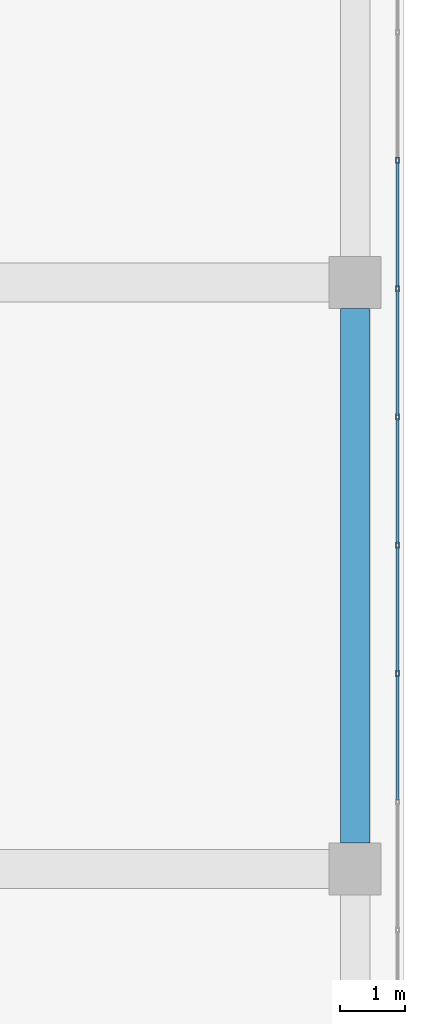
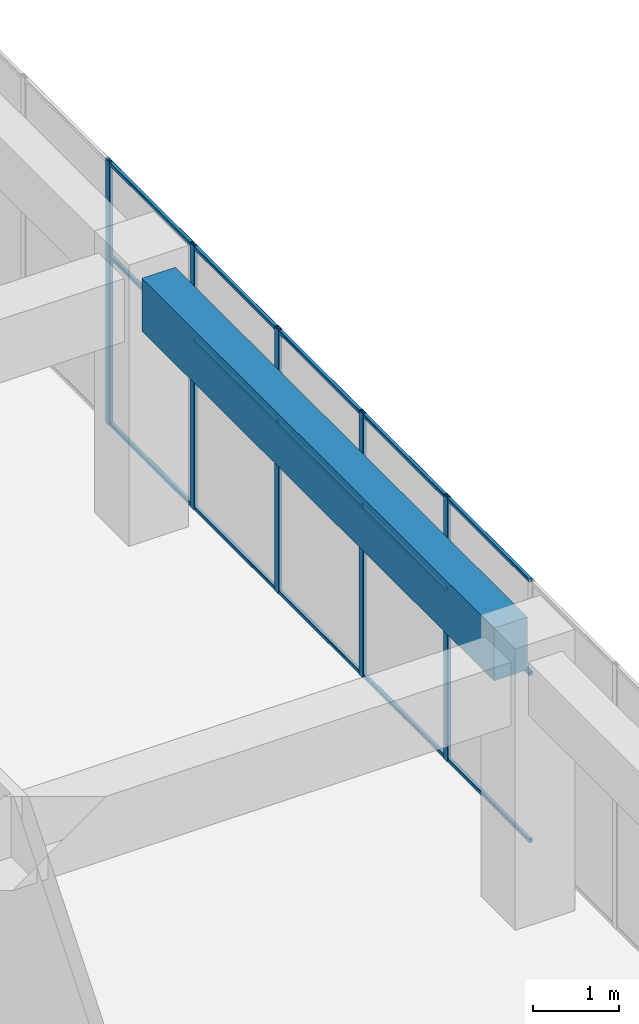
# One storey, part 39 of 55: 20 members, 1 beam, 1 element without a shape of its own.
"""IFC4 building model written with IfcOpenShell, lengths in metres."""

from ifc_helpers import new_model, si_unit, direction, frame, origin, origin_2d, place, context, subcontext, project, spatial, rectangle, hollow_rectangle, extrude, material, layer, layer_set, material_profile, profile_set, type_object, element, aggregate, save


model = new_model("IFC4")

# Units and contexts
model_context = context("Model", 3, precision=1e-05, world=origin(), true_north=direction((0.0, 1.0)))
body_context = subcontext(model_context, "Body", "Model", "MODEL_VIEW")
ifc_project = project(units=[si_unit("LENGTHUNIT", "METRE"), si_unit("AREAUNIT", "SQUARE_METRE"), si_unit("VOLUMEUNIT", "CUBIC_METRE"), si_unit("PLANEANGLEUNIT", "RADIAN"), si_unit("MASSUNIT", "GRAM", prefix="KILO")], contexts=[model_context])

# Site, building, storey
site_placement = place(None, origin())
site = spatial("IfcSite", under=ifc_project, at=site_placement, CompositionType="ELEMENT")
building_placement = place(site_placement, origin())
building = spatial("IfcBuilding", under=site, at=building_placement, Name="Tuart Plaza Theatre", CompositionType="ELEMENT")
storey_placement = place(building_placement, frame((0.0, 0.0, 21.5)))
storey = spatial("IfcBuildingStorey", under=building, at=storey_placement, Name="L05", CompositionType="ELEMENT", Elevation=21.5)

# Beam
ifc_material_1 = material(Name="Concrete N40 (40 MPa)", Category="concrete")
ifc_material_profile_1 = material_profile(ifc_material_1, rectangle(XDim=0.449951171875, YDim=0.75, at=origin_2d()), Name="BEAM 450x750 Concrete N40 (40 MPa)")
ifc_profile_set_1 = profile_set([ifc_material_profile_1], Name="Concrete N40 (40 MPa)")
beam_type = type_object("IfcBeamType", Name="BEAM 450x750 Concrete N40 (40 MPa)", PredefinedType="BEAM", material=ifc_profile_set_1)
beam_placement = place(storey_placement, frame((150.0, 65.39990234375, 3.375), z_axis=(0.0, 1.0, 0.0), x_axis=(-1.0, 0.0, 0.0)))
element("IfcBeam", 1, at=beam_placement, inside=storey, type_object=beam_type, Name="RB239", PredefinedType="BEAM", context=body_context, shape_type="SweptSolid", body=[
    extrude(rectangle(XDim=0.449951171875, YDim=0.75, at=origin_2d()), origin(), (0.0, 0.0, 1.0), 8.2001953125),
])

# Curtain wall, members
ifc_material_2 = material(Name="Aluminium and glass", Category="aluminium")
ifc_layer = layer(ifc_material_2, 0.10009765625)
ifc_layer_set = layer_set([ifc_layer], Name="CURTAIN WALL 2000 module")
curtain_wall_type = type_object("IfcCurtainWallType", Name="CURTAIN WALL 2000 module", PredefinedType="NOTDEFINED", material=ifc_layer_set)
curtain_wall_placement = place(storey_placement, origin())
curtain_wall = element("IfcCurtainWall", 2, at=curtain_wall_placement, inside=storey, type_object=curtain_wall_type, Name="CW78", PredefinedType="NOTDEFINED")
ifc_material_3 = material(Name="Aluminium 6063-T5", Category="aluminium")
ifc_material_profile_2 = material_profile(ifc_material_3, hollow_rectangle(XDim=0.050048828125, YDim=0.10009765625, WallThickness=0.00390625, InnerFilletRadius=0.00390625, OuterFilletRadius=0.008056640625, at=origin_2d()), Name="RHS 100x50x4")
ifc_profile_set_2 = profile_set([ifc_material_profile_2], Name="Aluminium 6063-T5")
member_type_1 = type_object("IfcMemberType", Name="MULLION RHS 100x50x4", PredefinedType="MULLION", material=ifc_profile_set_2)
member_1_placement = place(storey_placement, frame((150.64990234375, 68.0, 0.0), z_axis=(0.0, 0.0, 1.0), x_axis=(-1.0, 0.0, 0.0)))
member_1 = element("IfcMember", 3, at=member_1_placement, type_object=member_type_1, Name="CW78 mullion 9", PredefinedType="MULLION", context=body_context, shape_type="SweptSolid", body=[
    extrude(hollow_rectangle(XDim=0.050048828125, YDim=0.10009765625, WallThickness=0.00390625, InnerFilletRadius=0.00390625, OuterFilletRadius=0.008056640625, at=origin_2d()), origin(), (0.0, 0.0, 1.0), 3.75),
])
member_2_placement = place(storey_placement, frame((150.64990234375, 69.96875, 0.0), z_axis=(0.0, 0.0, 1.0), x_axis=(-1.0, 0.0, 0.0)))
member_2 = element("IfcMember", 4, at=member_2_placement, type_object=member_type_1, Name="CW78 mullion 10", PredefinedType="MULLION", context=body_context, shape_type="SweptSolid", body=[
    extrude(hollow_rectangle(XDim=0.050048828125, YDim=0.10009765625, WallThickness=0.00390625, InnerFilletRadius=0.00390625, OuterFilletRadius=0.008056640625, at=origin_2d()), origin(), (0.0, 0.0, 1.0), 3.75),
])
member_3_placement = place(storey_placement, frame((150.64990234375, 71.9375, 0.0), z_axis=(0.0, 0.0, 1.0), x_axis=(-1.0, 0.0, 0.0)))
member_3 = element("IfcMember", 5, at=member_3_placement, type_object=member_type_1, Name="CW78 mullion 11", PredefinedType="MULLION", context=body_context, shape_type="SweptSolid", body=[
    extrude(hollow_rectangle(XDim=0.050048828125, YDim=0.10009765625, WallThickness=0.00390625, InnerFilletRadius=0.00390625, OuterFilletRadius=0.008056640625, at=origin_2d()), origin(), (0.0, 0.0, 1.0), 3.75),
])
member_4_placement = place(storey_placement, frame((150.64990234375, 73.90625, 0.0), z_axis=(0.0, 0.0, 1.0), x_axis=(-1.0, 0.0, 0.0)))
member_4 = element("IfcMember", 6, at=member_4_placement, type_object=member_type_1, Name="CW78 mullion 12", PredefinedType="MULLION", context=body_context, shape_type="SweptSolid", body=[
    extrude(hollow_rectangle(XDim=0.050048828125, YDim=0.10009765625, WallThickness=0.00390625, InnerFilletRadius=0.00390625, OuterFilletRadius=0.008056640625, at=origin_2d()), origin(), (0.0, 0.0, 1.0), 3.75),
])
member_5_placement = place(storey_placement, frame((150.64990234375, 75.875, 0.0), z_axis=(0.0, 0.0, 1.0), x_axis=(-1.0, 0.0, 0.0)))
member_5 = element("IfcMember", 7, at=member_5_placement, type_object=member_type_1, Name="CW78 mullion 13", PredefinedType="MULLION", context=body_context, shape_type="SweptSolid", body=[
    extrude(hollow_rectangle(XDim=0.050048828125, YDim=0.10009765625, WallThickness=0.00390625, InnerFilletRadius=0.00390625, OuterFilletRadius=0.008056640625, at=origin_2d()), origin(), (0.0, 0.0, 1.0), 3.75),
])
ifc_material_4 = material(Name="Aluminium 6063-T5", Category="aluminium")
ifc_material_profile_3 = material_profile(ifc_material_4, hollow_rectangle(XDim=0.050048828125, YDim=0.050048828125, WallThickness=0.00390625, InnerFilletRadius=0.00390625, OuterFilletRadius=0.008056640625, at=origin_2d()), Name="RHS 50x50x4")
ifc_profile_set_3 = profile_set([ifc_material_profile_3], Name="Aluminium 6063-T5")
member_type_2 = type_object("IfcMemberType", Name="TRANSOM RHS 50x50x4", PredefinedType="USERDEFINED", material=ifc_profile_set_3)
member_6_placement = place(storey_placement, frame((150.64990234375, 66.05615234375, 0.02490234375), z_axis=(0.0, 1.0, 0.0), x_axis=(-1.0, 0.0, 0.0)))
member_6 = element("IfcMember", 8, at=member_6_placement, type_object=member_type_2, Name="CW78 transom 8.1", ObjectType="TRANSOM", PredefinedType="USERDEFINED", context=body_context, shape_type="SweptSolid", body=[
    extrude(hollow_rectangle(XDim=0.050048828125, YDim=0.050048828125, WallThickness=0.00390625, InnerFilletRadius=0.00390625, OuterFilletRadius=0.008056640625, at=origin_2d()), origin(), (0.0, 0.0, 1.0), 1.9189453125),
])
member_7_placement = place(storey_placement, frame((150.64990234375, 66.05615234375, 2.39990234375), z_axis=(0.0, 1.0, 0.0), x_axis=(-1.0, 0.0, 0.0)))
member_7 = element("IfcMember", 9, at=member_7_placement, type_object=member_type_2, Name="CW78 transom 8.2", ObjectType="TRANSOM", PredefinedType="USERDEFINED", context=body_context, shape_type="SweptSolid", body=[
    extrude(hollow_rectangle(XDim=0.050048828125, YDim=0.050048828125, WallThickness=0.00390625, InnerFilletRadius=0.00390625, OuterFilletRadius=0.008056640625, at=origin_2d()), origin(), (0.0, 0.0, 1.0), 1.9189453125),
])
member_8_placement = place(storey_placement, frame((150.64990234375, 66.05615234375, 3.72509765625), z_axis=(0.0, 1.0, 0.0), x_axis=(-1.0, 0.0, 0.0)))
member_8 = element("IfcMember", 10, at=member_8_placement, type_object=member_type_2, Name="CW78 transom 8.3", ObjectType="TRANSOM", PredefinedType="USERDEFINED", context=body_context, shape_type="SweptSolid", body=[
    extrude(hollow_rectangle(XDim=0.050048828125, YDim=0.050048828125, WallThickness=0.00390625, InnerFilletRadius=0.00390625, OuterFilletRadius=0.008056640625, at=origin_2d()), origin(), (0.0, 0.0, 1.0), 1.9189453125),
])
member_9_placement = place(storey_placement, frame((150.64990234375, 68.02490234375, 0.02490234375), z_axis=(0.0, 1.0, 0.0), x_axis=(-1.0, 0.0, 0.0)))
member_9 = element("IfcMember", 11, at=member_9_placement, type_object=member_type_2, Name="CW78 transom 9.1", ObjectType="TRANSOM", PredefinedType="USERDEFINED", context=body_context, shape_type="SweptSolid", body=[
    extrude(hollow_rectangle(XDim=0.050048828125, YDim=0.050048828125, WallThickness=0.00390625, InnerFilletRadius=0.00390625, OuterFilletRadius=0.008056640625, at=origin_2d()), origin(), (0.0, 0.0, 1.0), 1.9189453125),
])
member_10_placement = place(storey_placement, frame((150.64990234375, 68.02490234375, 2.39990234375), z_axis=(0.0, 1.0, 0.0), x_axis=(-1.0, 0.0, 0.0)))
member_10 = element("IfcMember", 12, at=member_10_placement, type_object=member_type_2, Name="CW78 transom 9.2", ObjectType="TRANSOM", PredefinedType="USERDEFINED", context=body_context, shape_type="SweptSolid", body=[
    extrude(hollow_rectangle(XDim=0.050048828125, YDim=0.050048828125, WallThickness=0.00390625, InnerFilletRadius=0.00390625, OuterFilletRadius=0.008056640625, at=origin_2d()), origin(), (0.0, 0.0, 1.0), 1.9189453125),
])
member_11_placement = place(storey_placement, frame((150.64990234375, 68.02490234375, 3.72509765625), z_axis=(0.0, 1.0, 0.0), x_axis=(-1.0, 0.0, 0.0)))
member_11 = element("IfcMember", 13, at=member_11_placement, type_object=member_type_2, Name="CW78 transom 9.3", ObjectType="TRANSOM", PredefinedType="USERDEFINED", context=body_context, shape_type="SweptSolid", body=[
    extrude(hollow_rectangle(XDim=0.050048828125, YDim=0.050048828125, WallThickness=0.00390625, InnerFilletRadius=0.00390625, OuterFilletRadius=0.008056640625, at=origin_2d()), origin(), (0.0, 0.0, 1.0), 1.9189453125),
])
member_12_placement = place(storey_placement, frame((150.64990234375, 69.99365234375, 0.02490234375), z_axis=(0.0, 1.0, 0.0), x_axis=(-1.0, 0.0, 0.0)))
member_12 = element("IfcMember", 14, at=member_12_placement, type_object=member_type_2, Name="CW78 transom 10.1", ObjectType="TRANSOM", PredefinedType="USERDEFINED", context=body_context, shape_type="SweptSolid", body=[
    extrude(hollow_rectangle(XDim=0.050048828125, YDim=0.050048828125, WallThickness=0.00390625, InnerFilletRadius=0.00390625, OuterFilletRadius=0.008056640625, at=origin_2d()), origin(), (0.0, 0.0, 1.0), 1.9189453125),
])
member_13_placement = place(storey_placement, frame((150.64990234375, 69.99365234375, 2.39990234375), z_axis=(0.0, 1.0, 0.0), x_axis=(-1.0, 0.0, 0.0)))
member_13 = element("IfcMember", 15, at=member_13_placement, type_object=member_type_2, Name="CW78 transom 10.2", ObjectType="TRANSOM", PredefinedType="USERDEFINED", context=body_context, shape_type="SweptSolid", body=[
    extrude(hollow_rectangle(XDim=0.050048828125, YDim=0.050048828125, WallThickness=0.00390625, InnerFilletRadius=0.00390625, OuterFilletRadius=0.008056640625, at=origin_2d()), origin(), (0.0, 0.0, 1.0), 1.9189453125),
])
member_14_placement = place(storey_placement, frame((150.64990234375, 69.99365234375, 3.72509765625), z_axis=(0.0, 1.0, 0.0), x_axis=(-1.0, 0.0, 0.0)))
member_14 = element("IfcMember", 16, at=member_14_placement, type_object=member_type_2, Name="CW78 transom 10.3", ObjectType="TRANSOM", PredefinedType="USERDEFINED", context=body_context, shape_type="SweptSolid", body=[
    extrude(hollow_rectangle(XDim=0.050048828125, YDim=0.050048828125, WallThickness=0.00390625, InnerFilletRadius=0.00390625, OuterFilletRadius=0.008056640625, at=origin_2d()), origin(), (0.0, 0.0, 1.0), 1.9189453125),
])
member_15_placement = place(storey_placement, frame((150.64990234375, 71.96240234375, 0.02490234375), z_axis=(0.0, 1.0, 0.0), x_axis=(-1.0, 0.0, 0.0)))
member_15 = element("IfcMember", 17, at=member_15_placement, type_object=member_type_2, Name="CW78 transom 11.1", ObjectType="TRANSOM", PredefinedType="USERDEFINED", context=body_context, shape_type="SweptSolid", body=[
    extrude(hollow_rectangle(XDim=0.050048828125, YDim=0.050048828125, WallThickness=0.00390625, InnerFilletRadius=0.00390625, OuterFilletRadius=0.008056640625, at=origin_2d()), origin(), (0.0, 0.0, 1.0), 1.9189453125),
])
member_16_placement = place(storey_placement, frame((150.64990234375, 71.96240234375, 2.39990234375), z_axis=(0.0, 1.0, 0.0), x_axis=(-1.0, 0.0, 0.0)))
member_16 = element("IfcMember", 18, at=member_16_placement, type_object=member_type_2, Name="CW78 transom 11.2", ObjectType="TRANSOM", PredefinedType="USERDEFINED", context=body_context, shape_type="SweptSolid", body=[
    extrude(hollow_rectangle(XDim=0.050048828125, YDim=0.050048828125, WallThickness=0.00390625, InnerFilletRadius=0.00390625, OuterFilletRadius=0.008056640625, at=origin_2d()), origin(), (0.0, 0.0, 1.0), 1.9189453125),
])
member_17_placement = place(storey_placement, frame((150.64990234375, 71.96240234375, 3.72509765625), z_axis=(0.0, 1.0, 0.0), x_axis=(-1.0, 0.0, 0.0)))
member_17 = element("IfcMember", 19, at=member_17_placement, type_object=member_type_2, Name="CW78 transom 11.3", ObjectType="TRANSOM", PredefinedType="USERDEFINED", context=body_context, shape_type="SweptSolid", body=[
    extrude(hollow_rectangle(XDim=0.050048828125, YDim=0.050048828125, WallThickness=0.00390625, InnerFilletRadius=0.00390625, OuterFilletRadius=0.008056640625, at=origin_2d()), origin(), (0.0, 0.0, 1.0), 1.9189453125),
])
member_18_placement = place(storey_placement, frame((150.64990234375, 73.93115234375, 0.02490234375), z_axis=(0.0, 1.0, 0.0), x_axis=(-1.0, 0.0, 0.0)))
member_18 = element("IfcMember", 20, at=member_18_placement, type_object=member_type_2, Name="CW78 transom 12.1", ObjectType="TRANSOM", PredefinedType="USERDEFINED", context=body_context, shape_type="SweptSolid", body=[
    extrude(hollow_rectangle(XDim=0.050048828125, YDim=0.050048828125, WallThickness=0.00390625, InnerFilletRadius=0.00390625, OuterFilletRadius=0.008056640625, at=origin_2d()), origin(), (0.0, 0.0, 1.0), 1.9189453125),
])
member_19_placement = place(storey_placement, frame((150.64990234375, 73.93115234375, 2.39990234375), z_axis=(0.0, 1.0, 0.0), x_axis=(-1.0, 0.0, 0.0)))
member_19 = element("IfcMember", 21, at=member_19_placement, type_object=member_type_2, Name="CW78 transom 12.2", ObjectType="TRANSOM", PredefinedType="USERDEFINED", context=body_context, shape_type="SweptSolid", body=[
    extrude(hollow_rectangle(XDim=0.050048828125, YDim=0.050048828125, WallThickness=0.00390625, InnerFilletRadius=0.00390625, OuterFilletRadius=0.008056640625, at=origin_2d()), origin(), (0.0, 0.0, 1.0), 1.9189453125),
])
member_20_placement = place(storey_placement, frame((150.64990234375, 73.93115234375, 3.72509765625), z_axis=(0.0, 1.0, 0.0), x_axis=(-1.0, 0.0, 0.0)))
member_20 = element("IfcMember", 22, at=member_20_placement, type_object=member_type_2, Name="CW78 transom 12.3", ObjectType="TRANSOM", PredefinedType="USERDEFINED", context=body_context, shape_type="SweptSolid", body=[
    extrude(hollow_rectangle(XDim=0.050048828125, YDim=0.050048828125, WallThickness=0.00390625, InnerFilletRadius=0.00390625, OuterFilletRadius=0.008056640625, at=origin_2d()), origin(), (0.0, 0.0, 1.0), 1.9189453125),
])
aggregate(curtain_wall, [member_1, member_2, member_3, member_4, member_5, member_6, member_7, member_8, member_9, member_10, member_11, member_12, member_13, member_14, member_15, member_16, member_17, member_18, member_19, member_20])

save(model, "model.ifc")
